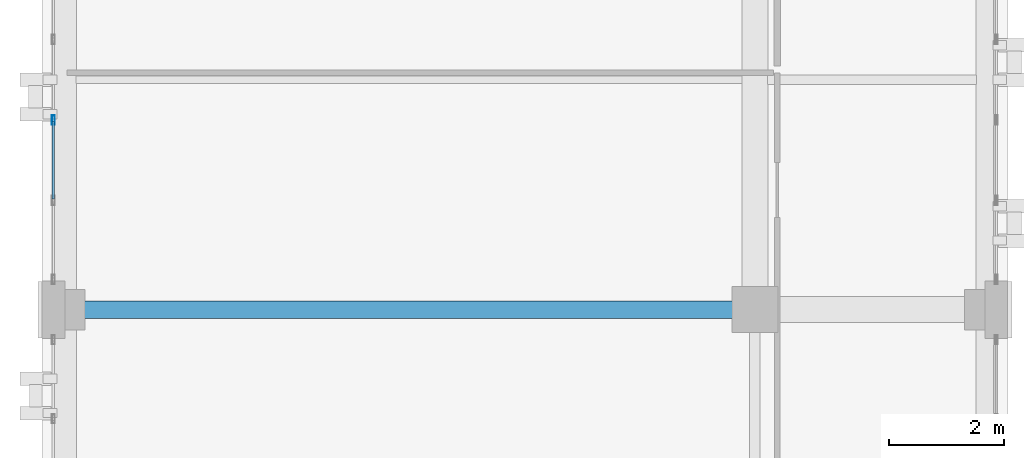
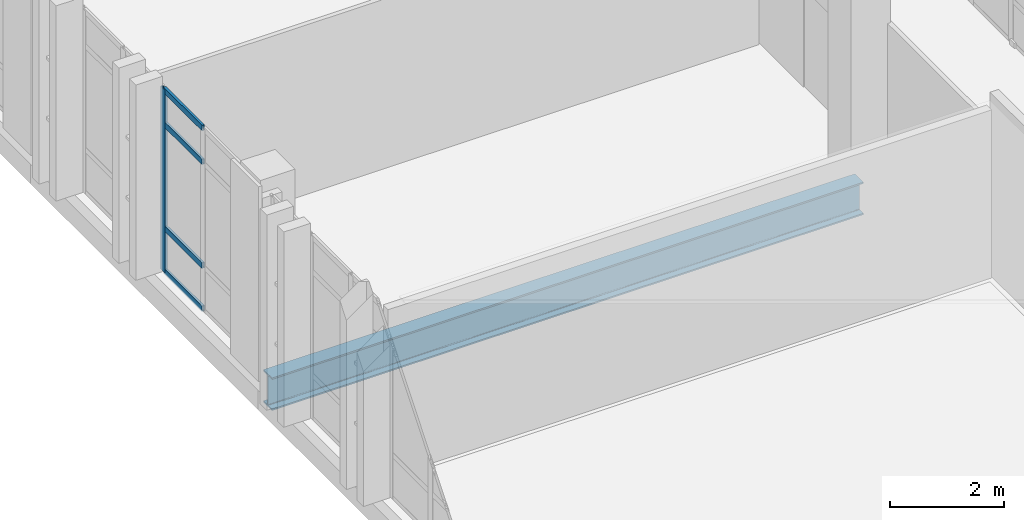
# One storey, part 38 of 158: 5 members, 1 beam, 1 element without a shape of its own.
"""IFC4 building model written with IfcOpenShell, lengths in metres."""

from ifc_helpers import new_model, si_unit, direction, frame, origin, origin_2d, place, context, subcontext, project, spatial, hollow_rectangle, i_section, extrude, material, layer, layer_set, material_profile, profile_set, type_object, element, aggregate, save


model = new_model("IFC4")

# Units and contexts
model_context = context("Model", 3, precision=1e-05, world=origin(), true_north=direction((0.0, 1.0)))
body_context = subcontext(model_context, "Body", "Model", "MODEL_VIEW")
ifc_project = project(units=[si_unit("LENGTHUNIT", "METRE"), si_unit("AREAUNIT", "SQUARE_METRE"), si_unit("VOLUMEUNIT", "CUBIC_METRE"), si_unit("PLANEANGLEUNIT", "RADIAN"), si_unit("MASSUNIT", "GRAM", prefix="KILO")], contexts=[model_context])

# Site, building, storey
site_placement = place(None, origin())
site = spatial("IfcSite", under=ifc_project, at=site_placement, CompositionType="ELEMENT")
building_placement = place(site_placement, origin())
building = spatial("IfcBuilding", under=site, at=building_placement, Name="Qalavern Law Courts", CompositionType="ELEMENT")
storey_placement = place(building_placement, frame((0.0, 0.0, 18.60009765625)))
storey = spatial("IfcBuildingStorey", under=building, at=storey_placement, Name="L04", CompositionType="ELEMENT", Elevation=18.60009765625)

# Curtain wall, members
ifc_material_1 = material(Name="Anodised aluminium and insulated glazing", Category="aluminium")
ifc_layer = layer(ifc_material_1, 0.159912109375)
ifc_layer_set = layer_set([ifc_layer], Name="Anodised aluminium and insulated glazing")
curtain_wall_type = type_object("IfcCurtainWallType", Name="ENV-CW-CHAMB", PredefinedType="USERDEFINED", material=ifc_layer_set)
curtain_wall_placement = place(storey_placement, origin())
curtain_wall = element("IfcCurtainWall", 1, at=curtain_wall_placement, inside=storey, type_object=curtain_wall_type, Name="V3 unitised curtain wall L04 west 4", ObjectType="UNITISED CURTAIN WALL", PredefinedType="USERDEFINED")
ifc_material_2 = material(Name="Anodised aluminium", Category="aluminium")
ifc_material_profile_1 = material_profile(ifc_material_2, hollow_rectangle(XDim=0.048095703125, YDim=0.159912109375, WallThickness=0.00390625, at=origin_2d()), Name="ALU MULLION 48x160")
ifc_profile_set_1 = profile_set([ifc_material_profile_1], Name="Anodised aluminium")
member_type_1 = type_object("IfcMemberType", Name="ENV-CWM-48x160", PredefinedType="MULLION", material=ifc_profile_set_1)
member_1_placement = place(storey_placement, frame((2.199951171875, 68.699951171875, 0.0), z_axis=(0.0, 0.0, 1.0), x_axis=(1.0, 0.0, 0.0)))
member_1 = element("IfcMember", 2, at=member_1_placement, type_object=member_type_1, Name="CW-04 mullion 4", PredefinedType="MULLION", context=body_context, shape_type="SweptSolid", body=[
    extrude(hollow_rectangle(XDim=0.048095703125, YDim=0.159912109375, WallThickness=0.00390625, at=origin_2d()), origin(), (0.0, 0.0, 1.0), 3.9248046875),
])
ifc_material_profile_2 = material_profile(ifc_material_2, hollow_rectangle(XDim=0.048095703125, YDim=0.1201171875, WallThickness=0.00390625, at=origin_2d()), Name="ALU TRANSOM 48x120")
ifc_profile_set_2 = profile_set([ifc_material_profile_2], Name="Anodised aluminium")
member_type_2 = type_object("IfcMemberType", Name="ENV-CWT-48x120", PredefinedType="USERDEFINED", material=ifc_profile_set_2)
member_2_placement = place(storey_placement, frame((2.199951171875, 68.676025390625, 0.02392578125), z_axis=(0.0, -1.0, 0.0), x_axis=(1.0, 0.0, 0.0)))
member_2 = element("IfcMember", 3, at=member_2_placement, type_object=member_type_2, Name="CW-04 transom 4.1", ObjectType="TRANSOM", PredefinedType="USERDEFINED", context=body_context, shape_type="SweptSolid", body=[
    extrude(hollow_rectangle(XDim=0.048095703125, YDim=0.1201171875, WallThickness=0.00390625, at=origin_2d()), origin(), (0.0, 0.0, 1.0), 1.35205078125),
])
member_3_placement = place(storey_placement, frame((2.199951171875, 68.676025390625, 0.949951171875), z_axis=(0.0, -1.0, 0.0), x_axis=(1.0, 0.0, 0.0)))
member_3 = element("IfcMember", 4, at=member_3_placement, type_object=member_type_2, Name="CW-04 transom 4.2", ObjectType="TRANSOM", PredefinedType="USERDEFINED", context=body_context, shape_type="SweptSolid", body=[
    extrude(hollow_rectangle(XDim=0.048095703125, YDim=0.1201171875, WallThickness=0.00390625, at=origin_2d()), origin(), (0.0, 0.0, 1.0), 1.35205078125),
])
member_4_placement = place(storey_placement, frame((2.199951171875, 68.676025390625, 3.1748046875), z_axis=(0.0, -1.0, 0.0), x_axis=(1.0, 0.0, 0.0)))
member_4 = element("IfcMember", 5, at=member_4_placement, type_object=member_type_2, Name="CW-04 transom 4.3", ObjectType="TRANSOM", PredefinedType="USERDEFINED", context=body_context, shape_type="SweptSolid", body=[
    extrude(hollow_rectangle(XDim=0.048095703125, YDim=0.1201171875, WallThickness=0.00390625, at=origin_2d()), origin(), (0.0, 0.0, 1.0), 1.35205078125),
])
member_5_placement = place(storey_placement, frame((2.199951171875, 68.676025390625, 3.90087890625), z_axis=(0.0, -1.0, 0.0), x_axis=(1.0, 0.0, 0.0)))
member_5 = element("IfcMember", 6, at=member_5_placement, type_object=member_type_2, Name="CW-04 transom 4.4", ObjectType="TRANSOM", PredefinedType="USERDEFINED", context=body_context, shape_type="SweptSolid", body=[
    extrude(hollow_rectangle(XDim=0.048095703125, YDim=0.1201171875, WallThickness=0.00390625, at=origin_2d()), origin(), (0.0, 0.0, 1.0), 1.35205078125),
])
aggregate(curtain_wall, [member_1, member_2, member_3, member_4, member_5])

# Beam
ifc_material_3 = material(Name="Steel S355", Category="steel")
ifc_material_profile_3 = material_profile(ifc_material_3, i_section(OverallWidth=0.300048828125, OverallDepth=0.699951171875, WebThickness=0.01708984375, FlangeThickness=0.031982421875, FilletRadius=0.027099609375, at=origin_2d()), Name="HEB 700")
ifc_profile_set_3 = profile_set([ifc_material_profile_3], Name="Steel S355")
beam_type = type_object("IfcBeamType", Name="STR-BM-HEB700", PredefinedType="BEAM", material=ifc_profile_set_3)
beam_placement = place(storey_placement, frame((2.39990234375, 65.39990234375, -0.630126953125), z_axis=(1.0, 0.0, 0.0), x_axis=(0.0, 1.0, 0.0)))
element("IfcBeam", 7, at=beam_placement, inside=storey, type_object=beam_type, Name="V3 X-beam 4-1 L04", PredefinedType="BEAM", context=body_context, shape_type="SweptSolid", body=[
    extrude(i_section(OverallWidth=0.300048828125, OverallDepth=0.699951171875, WebThickness=0.01708984375, FlangeThickness=0.031982421875, FilletRadius=0.027099609375, at=origin_2d()), origin(), (0.0, 0.0, 1.0), 12.0),
])

save(model, "model.ifc")
